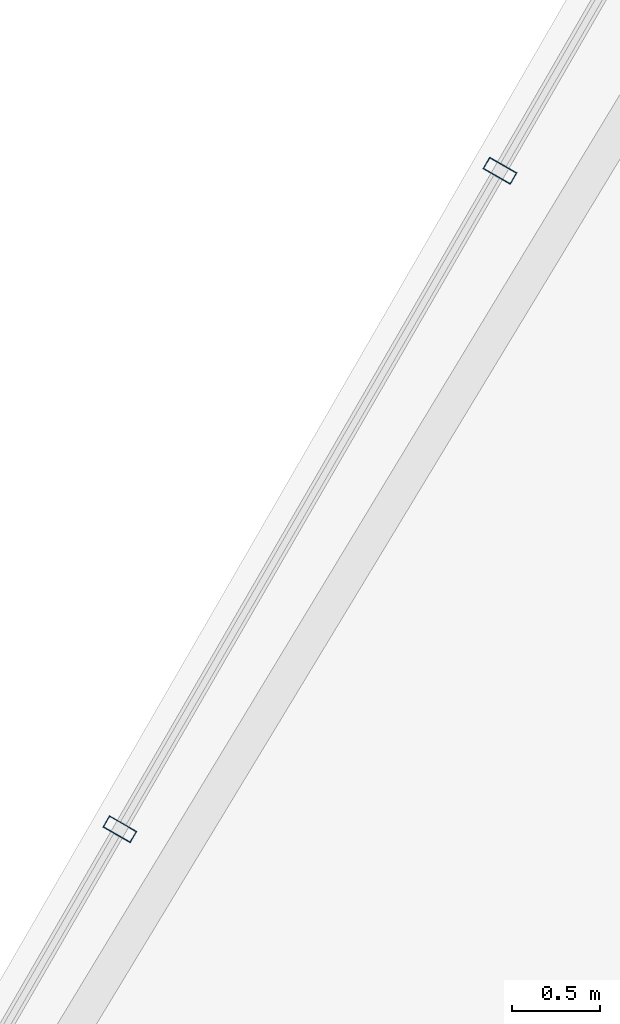
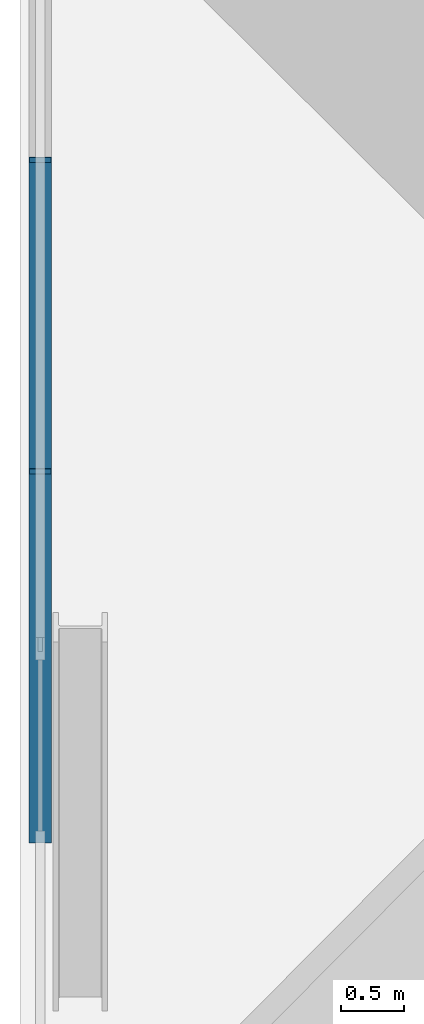
# One storey, part 12 of 30: 2 members, 1 element without a shape of its own.
"""IFC4 building model written with IfcOpenShell, lengths in metres."""

from ifc_helpers import new_model, si_unit, direction, frame, origin, origin_2d, place, context, subcontext, project, spatial, hollow_rectangle, extrude, material, layer, layer_set, material_profile, profile_set, type_object, element, aggregate, save


model = new_model("IFC4")

# Units and contexts
model_context = context("Model", 3, precision=1e-05, world=origin(), true_north=direction((0.0, 1.0)))
body_context = subcontext(model_context, "Body", "Model", "MODEL_VIEW")
ifc_project = project(units=[si_unit("LENGTHUNIT", "METRE"), si_unit("AREAUNIT", "SQUARE_METRE"), si_unit("VOLUMEUNIT", "CUBIC_METRE"), si_unit("PLANEANGLEUNIT", "RADIAN"), si_unit("MASSUNIT", "GRAM", prefix="KILO")], contexts=[model_context])

# Site, building, storey
site_placement = place(None, origin())
site = spatial("IfcSite", under=ifc_project, at=site_placement, CompositionType="ELEMENT")
building_placement = place(site_placement, origin())
building = spatial("IfcBuilding", under=site, at=building_placement, Name="Ndaravel Arena Tower", CompositionType="ELEMENT")
storey_placement = place(building_placement, frame((0.0, 0.0, 221.800048828125)))
storey = spatial("IfcBuildingStorey", under=building, at=storey_placement, Name="L53", CompositionType="ELEMENT", Elevation=221.800048828125)

# Curtain wall, members
ifc_material_1 = material(Name="Aluminium", Category="aluminium")
ifc_layer = layer(ifc_material_1, 0.179931640625)
ifc_layer_set = layer_set([ifc_layer], Name="Aluminium")
curtain_wall_type = type_object("IfcCurtainWallType", Name="CW-SYS-03", PredefinedType="NOTDEFINED", material=ifc_layer_set)
curtain_wall_placement = place(storey_placement, origin())
curtain_wall = element("IfcCurtainWall", 1, at=curtain_wall_placement, inside=storey, type_object=curtain_wall_type, Name="L53 Faceted Crystal Curtain Wall CW-L53-E05", PredefinedType="NOTDEFINED")
ifc_material_2 = material(Name="Aluminium", Category="aluminium")
ifc_material_profile = material_profile(ifc_material_2, hollow_rectangle(XDim=0.074951171875, YDim=0.179931640625, WallThickness=0.00390625, at=origin_2d()), Name="CW MULLION 75x180x4")
ifc_profile_set = profile_set([ifc_material_profile], Name="Aluminium")
member_type = type_object("IfcMemberType", Name="MEM-CW-MUL180", PredefinedType="MULLION", material=ifc_profile_set)
member_1_placement = place(storey_placement, frame((31.620361328125, 34.35791015625, 0.0), z_axis=(0.0, 0.0, 1.0), x_axis=(-0.5, -0.866025403784, 0.0)))
member_1 = element("IfcMember", 2, at=member_1_placement, type_object=member_type, Name="CW-L53-E05 Mullion 03", PredefinedType="MULLION", context=body_context, shape_type="SweptSolid", body=[
    extrude(hollow_rectangle(XDim=0.074951171875, YDim=0.179931640625, WallThickness=0.00390625, at=origin_2d()), origin(), (0.0, 0.0, 1.0), 3.579833984375),
])
member_2_placement = place(storey_placement, frame((29.461181640625, 30.617919921875, 0.0), z_axis=(0.0, 0.0, 1.0), x_axis=(-0.5, -0.866025403784, 0.0)))
member_2 = element("IfcMember", 3, at=member_2_placement, type_object=member_type, Name="CW-L53-E05 Mullion 04", PredefinedType="MULLION", context=body_context, shape_type="SweptSolid", body=[
    extrude(hollow_rectangle(XDim=0.074951171875, YDim=0.179931640625, WallThickness=0.00390625, at=origin_2d()), origin(), (0.0, 0.0, 1.0), 3.579833984375),
])
aggregate(curtain_wall, [member_1, member_2])

save(model, "model.ifc")
